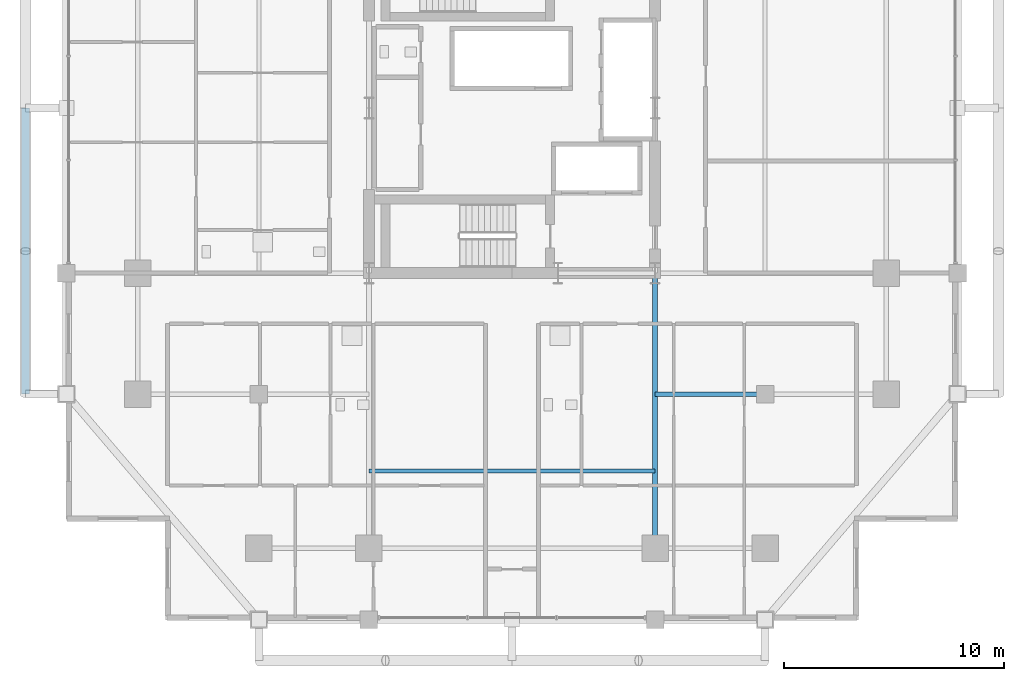
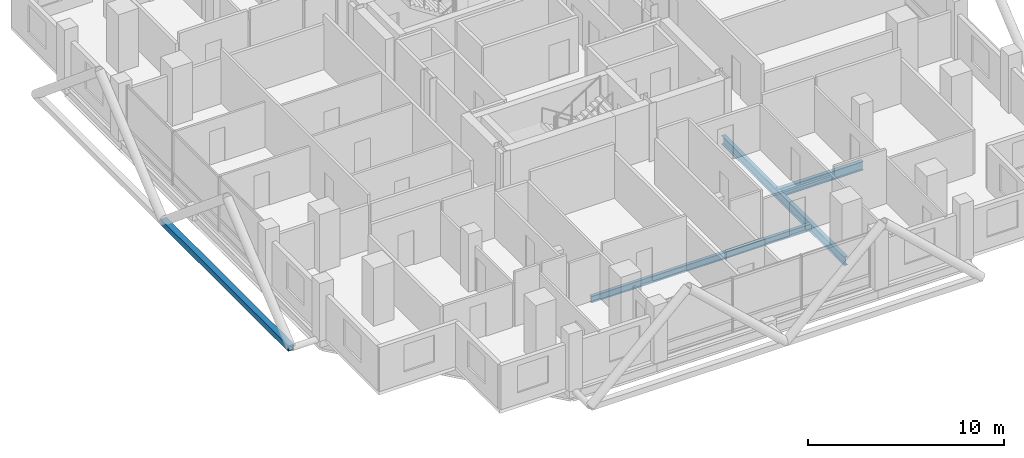
# One storey, part 4 of 25: 3 beams, 1 member.
"""IFC4 building model written with IfcOpenShell, lengths in metres."""

from ifc_helpers import new_model, si_unit, direction, frame, origin, origin_2d, place, context, subcontext, project, spatial, hollow_rectangle, i_section, extrude, material, material_profile, profile_set, type_object, element, save


model = new_model("IFC4")

# Units and contexts
model_context = context("Model", 3, precision=1e-05, world=origin(), true_north=direction((0.0, 1.0)))
body_context = subcontext(model_context, "Body", "Model", "MODEL_VIEW")
ifc_project = project(units=[si_unit("LENGTHUNIT", "METRE"), si_unit("AREAUNIT", "SQUARE_METRE"), si_unit("VOLUMEUNIT", "CUBIC_METRE"), si_unit("PLANEANGLEUNIT", "RADIAN"), si_unit("MASSUNIT", "GRAM", prefix="KILO")], contexts=[model_context])

# Site, building, storey
site_placement = place(None, origin())
site = spatial("IfcSite", under=ifc_project, at=site_placement, CompositionType="ELEMENT")
building_placement = place(site_placement, origin())
building = spatial("IfcBuilding", under=site, at=building_placement, Name="Barlavira Tower and Art Museum", CompositionType="ELEMENT")
storey_placement = place(building_placement, frame((0.0, 0.0, 133.199951171875)))
storey = spatial("IfcBuildingStorey", under=building, at=storey_placement, Name="L33", CompositionType="ELEMENT", Elevation=133.199951171875)

# Member
ifc_material = material(Name="Steel S355", Category="steel")
ifc_material_profile_1 = material_profile(ifc_material, hollow_rectangle(XDim=0.35009765625, YDim=0.35009765625, WallThickness=0.02001953125, at=origin_2d()), Name="SHS 350x350x20.0")
ifc_profile_set_1 = profile_set([ifc_material_profile_1], Name="Steel S355")
member_type = type_object("IfcMemberType", Name="Pale-Metal Exoskeleton Ring Strut SHS 350x350x20 Steel S355", PredefinedType="STRUT", material=ifc_profile_set_1)
member_placement = place(storey_placement, frame((-22.10009765625, -13.0, -0.119873046875), z_axis=(0.0, 1.0, 0.0), x_axis=(-1.0, 0.0, 0.0)))
element("IfcMember", 1, at=member_placement, inside=storey, type_object=member_type, Name="L33 Exoskeleton Ring Strut W", PredefinedType="STRUT", context=body_context, shape_type="SweptSolid", body=[
    extrude(hollow_rectangle(XDim=0.35009765625, YDim=0.35009765625, WallThickness=0.02001953125, at=origin_2d()), origin(), (0.0, 0.0, 1.0), 13.0),
])

# Beams
ifc_material_profile_2 = material_profile(ifc_material, i_section(OverallWidth=0.214111328125, OverallDepth=0.549072265625, WebThickness=0.0146484375, FlangeThickness=0.023681640625, at=origin_2d()), Name="W530x138.0")
ifc_profile_set_2 = profile_set([ifc_material_profile_2], Name="Steel S355")
beam_type_1 = type_object("IfcBeamType", Name="Zone 1 Primary Floor Girder W530x138 Steel S355", PredefinedType="BEAM", material=ifc_profile_set_2)
beam_1_placement = place(storey_placement, frame((6.5, -20.0, -0.494384765625), z_axis=(0.0, 1.0, 0.0), x_axis=(-1.0, 0.0, 0.0)))
element("IfcBeam", 2, at=beam_1_placement, inside=storey, type_object=beam_type_1, Name="L33 Girder R-S2", PredefinedType="BEAM", context=body_context, shape_type="SweptSolid", body=[
    extrude(i_section(OverallWidth=0.214111328125, OverallDepth=0.549072265625, WebThickness=0.0146484375, FlangeThickness=0.023681640625, at=origin_2d()), origin(), (0.0, 0.0, 1.0), 12.5),
])
beam_2_placement = place(storey_placement, frame((6.5, -13.0, -0.494384765625), z_axis=(1.0, 0.0, 0.0), x_axis=(0.0, 1.0, 0.0)))
element("IfcBeam", 3, at=beam_2_placement, inside=storey, type_object=beam_type_1, Name="L33 Girder I-S3", PredefinedType="BEAM", context=body_context, shape_type="SweptSolid", body=[
    extrude(i_section(OverallWidth=0.214111328125, OverallDepth=0.549072265625, WebThickness=0.0146484375, FlangeThickness=0.023681640625, at=origin_2d()), origin(), (0.0, 0.0, 1.0), 5.0),
])
ifc_material_profile_3 = material_profile(ifc_material, i_section(OverallWidth=0.179931640625, OverallDepth=0.4130859375, WebThickness=0.009765625, FlangeThickness=0.01611328125, at=origin_2d()), Name="W410x75.0")
ifc_profile_set_3 = profile_set([ifc_material_profile_3], Name="Steel S355")
beam_type_2 = type_object("IfcBeamType", Name="Zone 2 Composite Floor Joist W410x75 Steel S355", PredefinedType="JOIST", material=ifc_profile_set_3)
beam_3_placement = place(storey_placement, frame((-6.5, -16.5, -0.426513671875), z_axis=(1.0, 0.0, 0.0), x_axis=(0.0, 1.0, 0.0)))
element("IfcBeam", 4, at=beam_3_placement, inside=storey, type_object=beam_type_2, Name="L33 Joist C1", PredefinedType="JOIST", context=body_context, shape_type="SweptSolid", body=[
    extrude(i_section(OverallWidth=0.179931640625, OverallDepth=0.4130859375, WebThickness=0.009765625, FlangeThickness=0.01611328125, at=origin_2d()), origin(), (0.0, 0.0, 1.0), 13.0),
])

save(model, "model.ifc")
